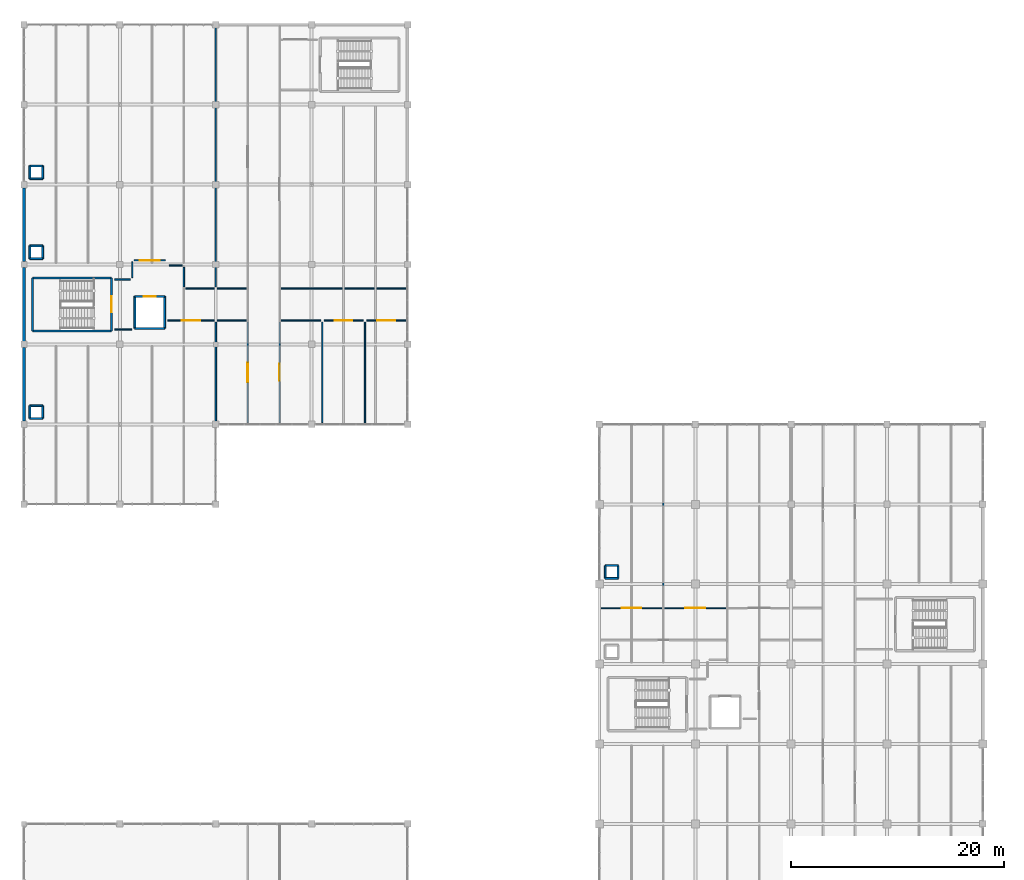
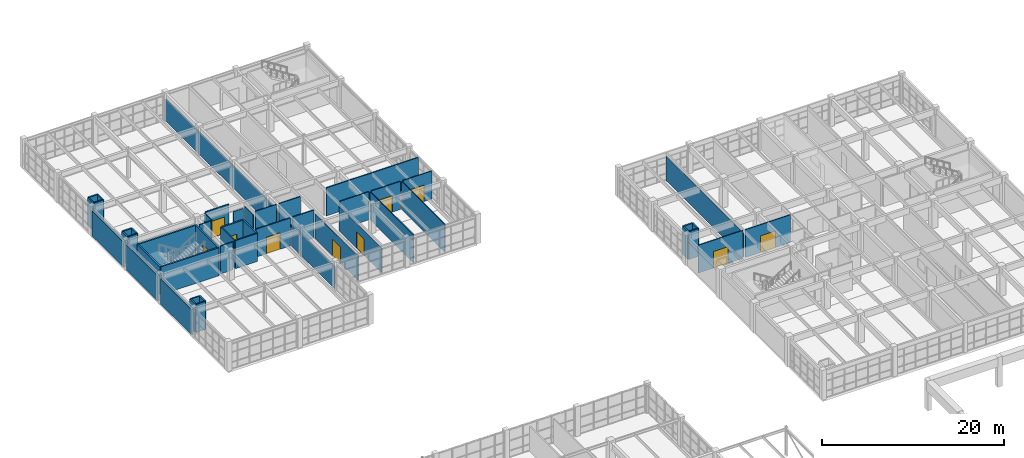
# One storey, part 70 of 76: 50 walls, 10 doors, 10 openings.
"""IFC4 building model written with IfcOpenShell, lengths in metres."""

from ifc_helpers import new_model, si_unit, direction, frame, frame_2d, origin, place, context, subcontext, project, spatial, rectangle, extrude, material, layer, layer_set, type_object, element, fill, save


model = new_model("IFC4")

# Units and contexts
model_context = context("Model", 3, precision=1e-05, world=origin(), true_north=direction((0.0, 1.0)))
body_context = subcontext(model_context, "Body", "Model", "MODEL_VIEW")
ifc_project = project(units=[si_unit("LENGTHUNIT", "METRE"), si_unit("AREAUNIT", "SQUARE_METRE"), si_unit("VOLUMEUNIT", "CUBIC_METRE"), si_unit("PLANEANGLEUNIT", "RADIAN"), si_unit("MASSUNIT", "GRAM", prefix="KILO")], contexts=[model_context])

# Site, building, storey
site_placement = place(None, origin())
site = spatial("IfcSite", under=ifc_project, at=site_placement, CompositionType="ELEMENT")
building_placement = place(site_placement, origin())
building = spatial("IfcBuilding", under=site, at=building_placement, Name="Marnridge Secondary College", CompositionType="ELEMENT")
storey_placement = place(building_placement, frame((0.0, 0.0, 4.5)))
storey = spatial("IfcBuildingStorey", under=building, at=storey_placement, Name="L01", CompositionType="ELEMENT", Elevation=4.5)

# Wall
ifc_material_1 = material(Name="Concrete C40/50 (AS 3600 N40, 40 MPa)", Category="concrete")
ifc_layer_1 = layer(ifc_material_1, 0.199951171875)
ifc_layer_set_1 = layer_set([ifc_layer_1], Name="WT-CORE-RC200")
wall_type_1 = type_object("IfcWallType", Name="WT-CORE-RC200", PredefinedType="SHEAR", material=ifc_layer_set_1)
wall_1_placement = place(storey_placement, frame((0.800048828125, 91.25, 0.0), z_axis=(0.0, 0.0, 1.0), x_axis=(1.0, 0.0, 0.0)))
element("IfcWall", 1, at=wall_1_placement, inside=storey, type_object=wall_type_1, Name="Stair core shear wall WC-L01-0341", PredefinedType="SHEAR", context=body_context, shape_type="SweptSolid", body=[
    extrude(rectangle(XDim=7.39990234375, YDim=0.199951171875, at=frame_2d((3.699951171875, 0.0))), origin(), (0.0, 0.0, 1.0), 3.760009765625),
])

# Wall, opening, door
wall_2_placement = place(storey_placement, frame((8.199951171875, 91.25, 0.0), z_axis=(0.0, 0.0, 1.0), x_axis=(0.0, 1.0, 0.0)))
wall_2 = element("IfcWall", 2, at=wall_2_placement, inside=storey, type_object=wall_type_1, Name="Stair core shear wall WC-L01-0342", PredefinedType="SHEAR", context=body_context, shape_type="SweptSolid", body=[
    extrude(rectangle(XDim=5.0, YDim=0.199951171875, at=frame_2d((2.5, 0.0))), origin(), (0.0, 0.0, 1.0), 3.760009765625),
])
opening_1_placement = place(wall_2_placement, frame((1.75, 0.0, 0.0)))
opening_1 = element("IfcOpeningElement", 3, at=opening_1_placement, cuts=wall_2, Name="Opening DC-L01-024", PredefinedType="OPENING", context=body_context, shape_type="SweptSolid", body=[
    extrude(rectangle(XDim=1.5, YDim=2.14990234375, at=frame_2d((0.75, 1.074951171875))), frame((0.0, 0.10986328125, 0.0), z_axis=(0.0, -1.0, 0.0), x_axis=(1.0, 0.0, 0.0)), (0.0, 0.0, 1.0), 0.219970703125),
])
ifc_material_2 = material(Name="Fire-rated solid-core timber doorset", Category="wood")
door_type_1 = type_object("IfcDoorType", Name="DT-CORE-FD150", OperationType="DOUBLE_DOOR_SINGLE_SWING", PredefinedType="DOOR", material=ifc_material_2)
door_1_placement = place(opening_1_placement, origin())
door_1 = element("IfcDoor", 4, at=door_1_placement, inside=storey, type_object=door_type_1, Name="Fire stair door DC-L01-024", OperationType="DOUBLE_DOOR_SINGLE_SWING", OverallHeight=2.14990234375, OverallWidth=1.5, PredefinedType="DOOR", context=body_context, shape_type="SweptSolid", body=[
    extrude(rectangle(XDim=1.5, YDim=2.14990234375, at=frame_2d((0.75, 1.074951171875))), frame((0.0, 0.02490234375, 0.0), z_axis=(0.0, -1.0, 0.0), x_axis=(1.0, 0.0, 0.0)), (0.0, 0.0, 1.0), 0.050048828125),
])
fill(opening_1, door_1)

# Walls
wall_3_placement = place(storey_placement, frame((8.199951171875, 96.25, 0.0), z_axis=(0.0, 0.0, 1.0), x_axis=(-1.0, 0.0, 0.0)))
element("IfcWall", 5, at=wall_3_placement, inside=storey, type_object=wall_type_1, Name="Stair core shear wall WC-L01-0343", PredefinedType="SHEAR", context=body_context, shape_type="SweptSolid", body=[
    extrude(rectangle(XDim=7.39990234375, YDim=0.199951171875, at=frame_2d((3.699951171875, 0.0))), origin(), (0.0, 0.0, 1.0), 3.760009765625),
])
wall_4_placement = place(storey_placement, frame((0.800048828125, 96.25, 0.0), z_axis=(0.0, 0.0, 1.0), x_axis=(0.0, -1.0, 0.0)))
element("IfcWall", 6, at=wall_4_placement, inside=storey, type_object=wall_type_1, Name="Stair core shear wall WC-L01-0344", PredefinedType="SHEAR", context=body_context, shape_type="SweptSolid", body=[
    extrude(rectangle(XDim=5.0, YDim=0.199951171875, at=frame_2d((2.5, 0.0))), origin(), (0.0, 0.0, 1.0), 3.760009765625),
])
ifc_material_3 = material(Name="Concrete C40/50 (AS 3600 N40, 40 MPa)", Category="concrete")
ifc_layer_2 = layer(ifc_material_3, 0.25)
ifc_layer_set_2 = layer_set([ifc_layer_2], Name="WT-EXT-RC250")
wall_type_2 = type_object("IfcWallType", Name="WT-EXT-RC250", PredefinedType="SOLIDWALL", material=ifc_layer_set_2)
for number, where, z_axis, x_axis, name in (
    (7, (0.0, 82.7958984375, 0.0), (0.0, 0.0, 1.0), (0.0, 1.0, 0.0), "Exterior wall WE-L01-0118"),
    (8, (0.0, 90.2958984375, 0.0), (0.0, 0.0, 1.0), (0.0, 1.0, 0.0), "Exterior wall WE-L01-0119"),
    (9, (0.0, 97.7958984375, 0.0), (0.0, 0.0, 1.0), (0.0, 1.0, 0.0), "Exterior wall WE-L01-0120"),
):
    element("IfcWall", number, at=place(storey_placement, frame(where, z_axis=z_axis, x_axis=x_axis)), inside=storey, type_object=wall_type_2, Name=name, PredefinedType="SOLIDWALL", context=body_context, shape_type="SweptSolid", body=[
        extrude(rectangle(XDim=6.908203125, YDim=0.25, at=frame_2d((3.4541015625, 0.0))), origin(), (0.0, 0.0, 1.0), 3.39990234375),
    ])
ifc_material_4 = material(Name="Acoustic plasterboard partition Rw45", Category="gypsum")
ifc_layer_3 = layer(ifc_material_4, 0.1201171875)
ifc_layer_set_3 = layer_set([ifc_layer_3], Name="WT-PART-AC120")
wall_type_3 = type_object("IfcWallType", Name="WT-PART-AC120", PredefinedType="PARTITIONING", material=ifc_layer_set_3)
for number, where, z_axis, x_axis, name in (
    (10, (20.840087890625, 92.25, 0.0), (0.0, 0.0, 1.0), (-1.0, 0.0, 0.0), "Interior partition WP-L01-0191"),
    (11, (15.159912109375, 95.25, 0.0), (0.0, 0.0, 1.0), (1.0, 0.0, 0.0), "Interior partition WP-L01-0193"),
):
    element("IfcWall", number, at=place(storey_placement, frame(where, z_axis=z_axis, x_axis=x_axis)), inside=storey, type_object=wall_type_3, Name=name, PredefinedType="PARTITIONING", context=body_context, shape_type="SweptSolid", body=[
        extrude(rectangle(XDim=2.68017578125, YDim=0.1201171875, at=frame_2d((1.340087890625, 0.0))), origin(), (0.0, 0.0, 1.0), 3.760009765625),
    ])
wall_5_placement = place(storey_placement, frame((10.14990234375, 96.260009765625, 0.0), z_axis=(0.0, 0.0, 1.0), x_axis=(0.0, 1.0, 0.0)))
element("IfcWall", 12, at=wall_5_placement, inside=storey, type_object=wall_type_3, Name="Interior partition WP-L01-0195", PredefinedType="PARTITIONING", context=body_context, shape_type="SweptSolid", body=[
    extrude(rectangle(XDim=1.47998046875, YDim=0.1201171875, at=frame_2d((0.739990234375, 0.0))), origin(), (0.0, 0.0, 1.0), 3.760009765625),
])
wall_6_placement = place(storey_placement, frame((13.610107421875, 97.39990234375, 0.0), z_axis=(0.0, 0.0, 1.0), x_axis=(1.0, 0.0, 0.0)))
element("IfcWall", 13, at=wall_6_placement, inside=storey, type_object=wall_type_3, Name="Interior partition WP-L01-0197", PredefinedType="PARTITIONING", context=body_context, shape_type="SweptSolid", body=[
    extrude(rectangle(XDim=1.22998046875, YDim=0.1201171875, at=frame_2d((0.614990234375, 0.0))), origin(), (0.0, 0.0, 1.0), 2.9599609375),
])
wall_7_placement = place(storey_placement, frame((18.0, 95.409912109375, 0.0), z_axis=(0.0, 0.0, 1.0), x_axis=(0.0, 1.0, 0.0)))
element("IfcWall", 14, at=wall_7_placement, inside=storey, type_object=wall_type_3, Name="Interior partition WP-L01-0205", PredefinedType="PARTITIONING", context=body_context, shape_type="SweptSolid", body=[
    extrude(rectangle(XDim=24.43017578125, YDim=0.1201171875, at=frame_2d((12.215087890625, 0.0))), origin(), (0.0, 0.0, 1.0), 2.9599609375),
])

# Wall, opening, door
ifc_material_5 = material(Name="Acoustic plasterboard partition Rw48", Category="gypsum")
ifc_layer_4 = layer(ifc_material_5, 0.135009765625)
ifc_layer_set_4 = layer_set([ifc_layer_4], Name="WT-PART-AC135")
wall_type_4 = type_object("IfcWallType", Name="WT-PART-AC135", PredefinedType="PARTITIONING", material=ifc_layer_set_4)
wall_8_placement = place(storey_placement, frame((17.840087890625, 92.25, 0.0), z_axis=(0.0, 0.0, 1.0), x_axis=(-1.0, 0.0, 0.0)))
wall_8 = element("IfcWall", 15, at=wall_8_placement, inside=storey, type_object=wall_type_4, Name="Interior partition WP-L01-0188", PredefinedType="PARTITIONING", context=body_context, shape_type="SweptSolid", body=[
    extrude(rectangle(XDim=4.340087890625, YDim=0.135009765625, at=frame_2d((2.169921875, 0.0))), origin(), (0.0, 0.0, 1.0), 3.760009765625),
])
opening_2_placement = place(wall_8_placement, frame((1.2900390625, 0.0, 0.0)))
opening_2 = element("IfcOpeningElement", 16, at=opening_2_placement, cuts=wall_8, Name="Opening DI-L01-0067", PredefinedType="OPENING", context=body_context, shape_type="SweptSolid", body=[
    extrude(rectangle(XDim=1.760009765625, YDim=2.219970703125, at=frame_2d((0.8798828125, 1.10986328125))), frame((0.0, 0.077392578125, 0.0), z_axis=(0.0, -1.0, 0.0), x_axis=(1.0, 0.0, 0.0)), (0.0, 0.0, 1.0), 0.155029296875),
])
ifc_material_6 = material(Name="Solid-core acoustic hoop-pine classroom doorset", Category="wood")
door_type_2 = type_object("IfcDoorType", Name="DT-RM-VAR19", OperationType="NOTDEFINED", PredefinedType="DOOR", material=ifc_material_6)
door_2_placement = place(opening_2_placement, origin())
door_2 = element("IfcDoor", 17, at=door_2_placement, inside=storey, type_object=door_type_2, Name="Interior door DI-L01-0067", OperationType="SINGLE_SWING_LEFT", OverallHeight=2.219970703125, OverallWidth=1.760009765625, PredefinedType="DOOR", context=body_context, shape_type="SweptSolid", body=[
    extrude(rectangle(XDim=1.760009765625, YDim=2.219970703125, at=frame_2d((0.8798828125, 1.10986328125))), frame((0.0, 0.02490234375, 0.0), z_axis=(0.0, -1.0, 0.0), x_axis=(1.0, 0.0, 0.0)), (0.0, 0.0, 1.0), 0.050048828125),
])
fill(opening_2, door_2)

wall_9_placement = place(storey_placement, frame((21.0, 82.659912109375, 0.0), z_axis=(0.0, 0.0, 1.0), x_axis=(0.0, 1.0, 0.0)))
wall_9 = element("IfcWall", 18, at=wall_9_placement, inside=storey, type_object=wall_type_4, Name="Interior partition WP-L01-0190", PredefinedType="PARTITIONING", context=body_context, shape_type="SweptSolid", body=[
    extrude(rectangle(XDim=9.43017578125, YDim=0.135009765625, at=frame_2d((4.715087890625, 0.0))), origin(), (0.0, 0.0, 1.0), 3.302001953125),
])
opening_3_placement = place(wall_9_placement, frame((3.794921875, 0.0, 0.0)))
opening_3 = element("IfcOpeningElement", 19, at=opening_3_placement, cuts=wall_9, Name="Opening DI-L01-0068", PredefinedType="OPENING", context=body_context, shape_type="SweptSolid", body=[
    extrude(rectangle(XDim=1.840087890625, YDim=2.219970703125, at=frame_2d((0.919921875, 1.10986328125))), frame((0.0, 0.077392578125, 0.0), z_axis=(0.0, -1.0, 0.0), x_axis=(1.0, 0.0, 0.0)), (0.0, 0.0, 1.0), 0.155029296875),
])
ifc_material_7 = material(Name="Solid-core acoustic hoop-pine classroom doorset", Category="wood")
door_type_3 = type_object("IfcDoorType", Name="DT-RM-VAR20", OperationType="NOTDEFINED", PredefinedType="DOOR", material=ifc_material_7)
door_3_placement = place(opening_3_placement, origin())
door_3 = element("IfcDoor", 20, at=door_3_placement, inside=storey, type_object=door_type_3, Name="Interior door DI-L01-0068", OperationType="SINGLE_SWING_RIGHT", OverallHeight=2.219970703125, OverallWidth=1.840087890625, PredefinedType="DOOR", context=body_context, shape_type="SweptSolid", body=[
    extrude(rectangle(XDim=1.840087890625, YDim=2.219970703125, at=frame_2d((0.919921875, 1.10986328125))), frame((0.0, 0.02490234375, 0.0), z_axis=(0.0, -1.0, 0.0), x_axis=(1.0, 0.0, 0.0)), (0.0, 0.0, 1.0), 0.050048828125),
])
fill(opening_3, door_3)

# Walls
wall_10_placement = place(storey_placement, frame((15.0, 97.239990234375, 0.0), z_axis=(0.0, 0.0, 1.0), x_axis=(0.0, -1.0, 0.0)))
element("IfcWall", 21, at=wall_10_placement, inside=storey, type_object=wall_type_4, Name="Interior partition WP-L01-0192", PredefinedType="PARTITIONING", context=body_context, shape_type="SweptSolid", body=[
    extrude(rectangle(XDim=1.830078125, YDim=0.135009765625, at=frame_2d((0.9150390625, 0.0))), origin(), (0.0, 0.0, 1.0), 3.302001953125),
])
wall_11_placement = place(storey_placement, frame((8.5, 96.10009765625, 0.0), z_axis=(0.0, 0.0, 1.0), x_axis=(1.0, 0.0, 0.0)))
element("IfcWall", 22, at=wall_11_placement, inside=storey, type_object=wall_type_4, Name="Interior partition WP-L01-0194", PredefinedType="PARTITIONING", context=body_context, shape_type="SweptSolid", body=[
    extrude(rectangle(XDim=1.489990234375, YDim=0.135009765625, at=frame_2d((0.7451171875, 0.0))), origin(), (0.0, 0.0, 1.0), 3.760009765625),
])

# Wall, opening, door
wall_12_placement = place(storey_placement, frame((10.31005859375, 97.89990234375, 0.0), z_axis=(0.0, 0.0, 1.0), x_axis=(1.0, 0.0, 0.0)))
wall_12 = element("IfcWall", 23, at=wall_12_placement, inside=storey, type_object=wall_type_4, Name="Interior partition WP-L01-0196", PredefinedType="PARTITIONING", context=body_context, shape_type="SweptSolid", body=[
    extrude(rectangle(XDim=2.97998046875, YDim=0.135009765625, at=frame_2d((1.489990234375, 0.0))), origin(), (0.0, 0.0, 1.0), 3.760009765625),
])
opening_4_placement = place(wall_12_placement, frame((0.5400390625, 0.0, 0.0)))
opening_4 = element("IfcOpeningElement", 24, at=opening_4_placement, cuts=wall_12, Name="Opening DI-L01-0069", PredefinedType="OPENING", context=body_context, shape_type="SweptSolid", body=[
    extrude(rectangle(XDim=1.89990234375, YDim=2.239990234375, at=frame_2d((0.949951171875, 1.1201171875))), frame((0.0, 0.077392578125, 0.0), z_axis=(0.0, -1.0, 0.0), x_axis=(1.0, 0.0, 0.0)), (0.0, 0.0, 1.0), 0.155029296875),
])
ifc_material_8 = material(Name="Solid-core acoustic hoop-pine classroom doorset", Category="wood")
door_type_4 = type_object("IfcDoorType", Name="DT-RM-VAR21", OperationType="NOTDEFINED", PredefinedType="DOOR", material=ifc_material_8)
door_4_placement = place(opening_4_placement, origin())
door_4 = element("IfcDoor", 25, at=door_4_placement, inside=storey, type_object=door_type_4, Name="Interior door DI-L01-0069", OperationType="SINGLE_SWING_LEFT", OverallHeight=2.239990234375, OverallWidth=1.89990234375, PredefinedType="DOOR", context=body_context, shape_type="SweptSolid", body=[
    extrude(rectangle(XDim=1.89990234375, YDim=2.239990234375, at=frame_2d((0.949951171875, 1.1201171875))), frame((0.0, 0.02490234375, 0.0), z_axis=(0.0, -1.0, 0.0), x_axis=(1.0, 0.0, 0.0)), (0.0, 0.0, 1.0), 0.050048828125),
])
fill(opening_4, door_4)

# Walls
wall_13_placement = place(storey_placement, frame((18.159912109375, 95.25, 0.0), z_axis=(0.0, 0.0, 1.0), x_axis=(1.0, 0.0, 0.0)))
element("IfcWall", 26, at=wall_13_placement, inside=storey, type_object=wall_type_4, Name="Interior partition WP-L01-0198", PredefinedType="PARTITIONING", context=body_context, shape_type="SweptSolid", body=[
    extrude(rectangle(XDim=2.68017578125, YDim=0.135009765625, at=frame_2d((1.340087890625, 0.0))), origin(), (0.0, 0.0, 1.0), 3.760009765625),
])
wall_14_placement = place(storey_placement, frame((24.159912109375, 95.25, 0.0), z_axis=(0.0, 0.0, 1.0), x_axis=(1.0, 0.0, 0.0)))
element("IfcWall", 27, at=wall_14_placement, inside=storey, type_object=wall_type_4, Name="Interior partition WP-L01-0202", PredefinedType="PARTITIONING", context=body_context, shape_type="SweptSolid", body=[
    extrude(rectangle(XDim=11.68017578125, YDim=0.135009765625, at=frame_2d((5.840087890625, 0.0))), origin(), (0.0, 0.0, 1.0), 3.760009765625),
])
wall_15_placement = place(storey_placement, frame((18.0, 82.659912109375, 0.0), z_axis=(0.0, 0.0, 1.0), x_axis=(0.0, 1.0, 0.0)))
element("IfcWall", 28, at=wall_15_placement, inside=storey, type_object=wall_type_4, Name="Interior partition WP-L01-0204", PredefinedType="PARTITIONING", context=body_context, shape_type="SweptSolid", body=[
    extrude(rectangle(XDim=9.43017578125, YDim=0.135009765625, at=frame_2d((4.715087890625, 0.0))), origin(), (0.0, 0.0, 1.0), 2.9599609375),
])
ifc_material_9 = material(Name="Acoustic glazed studio partition system", Category="gypsum")
ifc_layer_5 = layer(ifc_material_9, 0.10009765625)
ifc_layer_set_5 = layer_set([ifc_layer_5], Name="WT-PART-GL100")
wall_type_5 = type_object("IfcWallType", Name="WT-PART-GL100", PredefinedType="PARTITIONING", material=ifc_layer_set_5)
wall_16_placement = place(storey_placement, frame((10.10009765625, 91.39990234375, 0.0), z_axis=(0.0, 0.0, 1.0), x_axis=(-1.0, 0.0, 0.0)))
element("IfcWall", 29, at=wall_16_placement, inside=storey, type_object=wall_type_5, Name="Interior partition WP-L01-0189", PredefinedType="PARTITIONING", context=body_context, shape_type="SweptSolid", body=[
    extrude(rectangle(XDim=1.60009765625, YDim=0.10009765625, at=frame_2d((0.800048828125, 0.0))), origin(), (0.0, 0.0, 1.0), 3.760009765625),
])
ifc_material_10 = material(Name="Moisture-resistant plasterboard sanitary partition", Category="gypsum")
ifc_layer_6 = layer(ifc_material_10, 0.110107421875)
ifc_layer_set_6 = layer_set([ifc_layer_6], Name="WT-PART-WT110")
wall_type_6 = type_object("IfcWallType", Name="WT-PART-WT110", PredefinedType="PARTITIONING", material=ifc_layer_set_6)
wall_17_placement = place(storey_placement, frame((60.0, 65.409912109375, 0.0), z_axis=(0.0, 0.0, 1.0), x_axis=(0.0, 1.0, 0.0)))
element("IfcWall", 30, at=wall_17_placement, inside=storey, type_object=wall_type_6, Name="Interior partition WP-L01-0125", PredefinedType="PARTITIONING", context=body_context, shape_type="SweptSolid", body=[
    extrude(rectangle(XDim=16.93017578125, YDim=0.110107421875, at=frame_2d((8.465087890625, 0.0))), origin(), (0.0, 0.0, 1.0), 3.281982421875),
])

# Wall, opening, door
wall_18_placement = place(storey_placement, frame((54.159912109375, 65.25, 0.0), z_axis=(0.0, 0.0, 1.0), x_axis=(1.0, 0.0, 0.0)))
wall_18 = element("IfcWall", 31, at=wall_18_placement, inside=storey, type_object=wall_type_6, Name="Interior partition WP-L01-0126", PredefinedType="PARTITIONING", context=body_context, shape_type="SweptSolid", body=[
    extrude(rectangle(XDim=5.68017578125, YDim=0.110107421875, at=frame_2d((2.840087890625, 0.0))), origin(), (0.0, 0.0, 1.0), 3.739990234375),
])
opening_5_placement = place(wall_18_placement, frame((1.919921875, 0.0, 0.0)))
opening_5 = element("IfcOpeningElement", 32, at=opening_5_placement, cuts=wall_18, Name="Opening DI-L01-0044", PredefinedType="OPENING", context=body_context, shape_type="SweptSolid", body=[
    extrude(rectangle(XDim=1.840087890625, YDim=2.219970703125, at=frame_2d((0.919921875, 1.10986328125))), frame((0.0, 0.06494140625, 0.0), z_axis=(0.0, -1.0, 0.0), x_axis=(1.0, 0.0, 0.0)), (0.0, 0.0, 1.0), 0.130126953125),
])
door_5_placement = place(opening_5_placement, origin())
door_5 = element("IfcDoor", 33, at=door_5_placement, inside=storey, type_object=door_type_3, Name="Interior door DI-L01-0044", OperationType="SINGLE_SWING_RIGHT", OverallHeight=2.219970703125, OverallWidth=1.840087890625, PredefinedType="DOOR", context=body_context, shape_type="SweptSolid", body=[
    extrude(rectangle(XDim=1.840087890625, YDim=2.219970703125, at=frame_2d((0.919921875, 1.10986328125))), frame((0.0, 0.02490234375, 0.0), z_axis=(0.0, -1.0, 0.0), x_axis=(1.0, 0.0, 0.0)), (0.0, 0.0, 1.0), 0.050048828125),
])
fill(opening_5, door_5)

wall_19_placement = place(storey_placement, frame((65.840087890625, 65.25, 0.0), z_axis=(0.0, 0.0, 1.0), x_axis=(-1.0, 0.0, 0.0)))
wall_19 = element("IfcWall", 34, at=wall_19_placement, inside=storey, type_object=wall_type_6, Name="Interior partition WP-L01-0128", PredefinedType="PARTITIONING", context=body_context, shape_type="SweptSolid", body=[
    extrude(rectangle(XDim=5.68017578125, YDim=0.110107421875, at=frame_2d((2.840087890625, 0.0))), origin(), (0.0, 0.0, 1.0), 3.739990234375),
])
opening_6_placement = place(wall_19_placement, frame((1.889892578125, 0.0, 0.0)))
opening_6 = element("IfcOpeningElement", 35, at=opening_6_placement, cuts=wall_19, Name="Opening DI-L01-0045", PredefinedType="OPENING", context=body_context, shape_type="SweptSolid", body=[
    extrude(rectangle(XDim=1.89990234375, YDim=2.239990234375, at=frame_2d((0.949951171875, 1.1201171875))), frame((0.0, 0.06494140625, 0.0), z_axis=(0.0, -1.0, 0.0), x_axis=(1.0, 0.0, 0.0)), (0.0, 0.0, 1.0), 0.130126953125),
])
door_6_placement = place(opening_6_placement, origin())
door_6 = element("IfcDoor", 36, at=door_6_placement, inside=storey, type_object=door_type_4, Name="Interior door DI-L01-0045", OperationType="SINGLE_SWING_LEFT", OverallHeight=2.239990234375, OverallWidth=1.89990234375, PredefinedType="DOOR", context=body_context, shape_type="SweptSolid", body=[
    extrude(rectangle(XDim=1.89990234375, YDim=2.239990234375, at=frame_2d((0.949951171875, 1.1201171875))), frame((0.0, 0.02490234375, 0.0), z_axis=(0.0, -1.0, 0.0), x_axis=(1.0, 0.0, 0.0)), (0.0, 0.0, 1.0), 0.050048828125),
])
fill(opening_6, door_6)

# Wall
wall_20_placement = place(storey_placement, frame((28.0, 82.659912109375, 0.0), z_axis=(0.0, 0.0, 1.0), x_axis=(0.0, 1.0, 0.0)))
element("IfcWall", 37, at=wall_20_placement, inside=storey, type_object=wall_type_6, Name="Interior partition WP-L01-0182", PredefinedType="PARTITIONING", context=body_context, shape_type="SweptSolid", body=[
    extrude(rectangle(XDim=9.43017578125, YDim=0.110107421875, at=frame_2d((4.715087890625, 0.0))), origin(), (0.0, 0.0, 1.0), 3.760009765625),
])

# Wall, opening, door
wall_21_placement = place(storey_placement, frame((24.0, 92.090087890625, 0.0), z_axis=(0.0, 0.0, 1.0), x_axis=(0.0, -1.0, 0.0)))
wall_21 = element("IfcWall", 38, at=wall_21_placement, inside=storey, type_object=wall_type_6, Name="Interior partition WP-L01-0183", PredefinedType="PARTITIONING", context=body_context, shape_type="SweptSolid", body=[
    extrude(rectangle(XDim=9.43017578125, YDim=0.110107421875, at=frame_2d((4.715087890625, 0.0))), origin(), (0.0, 0.0, 1.0), 3.302001953125),
])
opening_7_placement = place(wall_21_placement, frame((3.925048828125, 0.0, 0.0)))
opening_7 = element("IfcOpeningElement", 39, at=opening_7_placement, cuts=wall_21, Name="Opening DI-L01-0064", PredefinedType="OPENING", context=body_context, shape_type="SweptSolid", body=[
    extrude(rectangle(XDim=1.580078125, YDim=2.199951171875, at=frame_2d((0.7900390625, 1.10009765625))), frame((0.0, 0.06494140625, 0.0), z_axis=(0.0, -1.0, 0.0), x_axis=(1.0, 0.0, 0.0)), (0.0, 0.0, 1.0), 0.130126953125),
])
ifc_material_11 = material(Name="Solid-core acoustic hoop-pine classroom doorset", Category="wood")
door_type_5 = type_object("IfcDoorType", Name="DT-RM-VAR16", OperationType="NOTDEFINED", PredefinedType="DOOR", material=ifc_material_11)
door_7_placement = place(opening_7_placement, origin())
door_7 = element("IfcDoor", 40, at=door_7_placement, inside=storey, type_object=door_type_5, Name="Interior door DI-L01-0064", OperationType="SINGLE_SWING_RIGHT", OverallHeight=2.199951171875, OverallWidth=1.580078125, PredefinedType="DOOR", context=body_context, shape_type="SweptSolid", body=[
    extrude(rectangle(XDim=1.580078125, YDim=2.199951171875, at=frame_2d((0.7900390625, 1.10009765625))), frame((0.0, 0.02490234375, 0.0), z_axis=(0.0, -1.0, 0.0), x_axis=(1.0, 0.0, 0.0)), (0.0, 0.0, 1.0), 0.050048828125),
])
fill(opening_7, door_7)

# Walls
wall_22_placement = place(storey_placement, frame((27.840087890625, 92.25, 0.0), z_axis=(0.0, 0.0, 1.0), x_axis=(-1.0, 0.0, 0.0)))
element("IfcWall", 41, at=wall_22_placement, inside=storey, type_object=wall_type_6, Name="Interior partition WP-L01-0184", PredefinedType="PARTITIONING", context=body_context, shape_type="SweptSolid", body=[
    extrude(rectangle(XDim=3.68017578125, YDim=0.110107421875, at=frame_2d((1.840087890625, 0.0))), origin(), (0.0, 0.0, 1.0), 3.760009765625),
])
wall_23_placement = place(storey_placement, frame((32.0, 82.659912109375, 0.0), z_axis=(0.0, 0.0, 1.0), x_axis=(0.0, 1.0, 0.0)))
element("IfcWall", 42, at=wall_23_placement, inside=storey, type_object=wall_type_6, Name="Interior partition WP-L01-0185", PredefinedType="PARTITIONING", context=body_context, shape_type="SweptSolid", body=[
    extrude(rectangle(XDim=9.43017578125, YDim=0.110107421875, at=frame_2d((4.715087890625, 0.0))), origin(), (0.0, 0.0, 1.0), 3.760009765625),
])

# Wall, opening, door
wall_24_placement = place(storey_placement, frame((31.840087890625, 92.25, 0.0), z_axis=(0.0, 0.0, 1.0), x_axis=(-1.0, 0.0, 0.0)))
wall_24 = element("IfcWall", 43, at=wall_24_placement, inside=storey, type_object=wall_type_6, Name="Interior partition WP-L01-0186", PredefinedType="PARTITIONING", context=body_context, shape_type="SweptSolid", body=[
    extrude(rectangle(XDim=3.68017578125, YDim=0.110107421875, at=frame_2d((1.840087890625, 0.0))), origin(), (0.0, 0.0, 1.0), 3.760009765625),
])
opening_8_placement = place(wall_24_placement, frame((1.02001953125, 0.0, 0.0)))
opening_8 = element("IfcOpeningElement", 44, at=opening_8_placement, cuts=wall_24, Name="Opening DI-L01-0065", PredefinedType="OPENING", context=body_context, shape_type="SweptSolid", body=[
    extrude(rectangle(XDim=1.639892578125, YDim=2.199951171875, at=frame_2d((0.81982421875, 1.10009765625))), frame((0.0, 0.06494140625, 0.0), z_axis=(0.0, -1.0, 0.0), x_axis=(1.0, 0.0, 0.0)), (0.0, 0.0, 1.0), 0.130126953125),
])
ifc_material_12 = material(Name="Solid-core acoustic hoop-pine classroom doorset", Category="wood")
door_type_6 = type_object("IfcDoorType", Name="DT-RM-VAR17", OperationType="NOTDEFINED", PredefinedType="DOOR", material=ifc_material_12)
door_8_placement = place(opening_8_placement, origin())
door_8 = element("IfcDoor", 45, at=door_8_placement, inside=storey, type_object=door_type_6, Name="Interior door DI-L01-0065", OperationType="SINGLE_SWING_LEFT", OverallHeight=2.199951171875, OverallWidth=1.639892578125, PredefinedType="DOOR", context=body_context, shape_type="SweptSolid", body=[
    extrude(rectangle(XDim=1.639892578125, YDim=2.199951171875, at=frame_2d((0.81982421875, 1.10009765625))), frame((0.0, 0.02490234375, 0.0), z_axis=(0.0, -1.0, 0.0), x_axis=(1.0, 0.0, 0.0)), (0.0, 0.0, 1.0), 0.050048828125),
])
fill(opening_8, door_8)

wall_25_placement = place(storey_placement, frame((35.840087890625, 92.25, 0.0), z_axis=(0.0, 0.0, 1.0), x_axis=(-1.0, 0.0, 0.0)))
wall_25 = element("IfcWall", 46, at=wall_25_placement, inside=storey, type_object=wall_type_6, Name="Interior partition WP-L01-0187", PredefinedType="PARTITIONING", context=body_context, shape_type="SweptSolid", body=[
    extrude(rectangle(XDim=3.68017578125, YDim=0.110107421875, at=frame_2d((1.840087890625, 0.0))), origin(), (0.0, 0.0, 1.0), 3.760009765625),
])
opening_9_placement = place(wall_25_placement, frame((0.989990234375, 0.0, 0.0)))
opening_9 = element("IfcOpeningElement", 47, at=opening_9_placement, cuts=wall_25, Name="Opening DI-L01-0066", PredefinedType="OPENING", context=body_context, shape_type="SweptSolid", body=[
    extrude(rectangle(XDim=1.699951171875, YDim=2.219970703125, at=frame_2d((0.85009765625, 1.10986328125))), frame((0.0, 0.06494140625, 0.0), z_axis=(0.0, -1.0, 0.0), x_axis=(1.0, 0.0, 0.0)), (0.0, 0.0, 1.0), 0.130126953125),
])
ifc_material_13 = material(Name="Solid-core acoustic hoop-pine classroom doorset", Category="wood")
door_type_7 = type_object("IfcDoorType", Name="DT-RM-VAR18", OperationType="NOTDEFINED", PredefinedType="DOOR", material=ifc_material_13)
door_9_placement = place(opening_9_placement, origin())
door_9 = element("IfcDoor", 48, at=door_9_placement, inside=storey, type_object=door_type_7, Name="Interior door DI-L01-0066", OperationType="SINGLE_SWING_RIGHT", OverallHeight=2.219970703125, OverallWidth=1.699951171875, PredefinedType="DOOR", context=body_context, shape_type="SweptSolid", body=[
    extrude(rectangle(XDim=1.699951171875, YDim=2.219970703125, at=frame_2d((0.85009765625, 1.10986328125))), frame((0.0, 0.02490234375, 0.0), z_axis=(0.0, -1.0, 0.0), x_axis=(1.0, 0.0, 0.0)), (0.0, 0.0, 1.0), 0.050048828125),
])
fill(opening_9, door_9)

# Walls
ifc_material_14 = material(Name="Concrete C40/50 (AS 3600 N40, 40 MPa)", Category="concrete")
ifc_layer_7 = layer(ifc_material_14, 0.179931640625)
ifc_layer_set_7 = layer_set([ifc_layer_7], Name="WT-SHAFT-RC180")
wall_type_7 = type_object("IfcWallType", Name="WT-SHAFT-RC180", PredefinedType="SHEAR", material=ifc_layer_set_7)
for number, where, z_axis, x_axis, name in (
    (49, (55.75, 68.050048828125, 0.0), (0.0, 0.0, 1.0), (-1.0, 0.0, 0.0), "Service riser shaft wall WR-L01-0065"),
    (50, (54.550048828125, 68.050048828125, 0.0), (0.0, 0.0, 1.0), (0.0, 1.0, 0.0), "Service riser shaft wall WR-L01-0066"),
    (51, (54.550048828125, 69.25, 0.0), (0.0, 0.0, 1.0), (1.0, 0.0, 0.0), "Service riser shaft wall WR-L01-0067"),
    (52, (55.75, 69.25, 0.0), (0.0, 0.0, 1.0), (0.0, -1.0, 0.0), "Service riser shaft wall WR-L01-0068"),
):
    element("IfcWall", number, at=place(storey_placement, frame(where, z_axis=z_axis, x_axis=x_axis)), inside=storey, type_object=wall_type_7, Name=name, PredefinedType="SHEAR", context=body_context, shape_type="SweptSolid", body=[
        extrude(rectangle(XDim=1.199951171875, YDim=0.179931640625, at=frame_2d((0.60009765625, 0.0))), origin(), (0.0, 0.0, 1.0), 3.739990234375),
    ])
for number, where, z_axis, x_axis, name in (
    (53, (1.75, 83.050048828125, 0.0), (0.0, 0.0, 1.0), (-1.0, 0.0, 0.0), "Service riser shaft wall WR-L01-0089"),
    (54, (0.550048828125, 83.050048828125, 0.0), (0.0, 0.0, 1.0), (0.0, 1.0, 0.0), "Service riser shaft wall WR-L01-0090"),
    (55, (0.550048828125, 84.25, 0.0), (0.0, 0.0, 1.0), (1.0, 0.0, 0.0), "Service riser shaft wall WR-L01-0091"),
    (56, (1.75, 84.25, 0.0), (0.0, 0.0, 1.0), (0.0, -1.0, 0.0), "Service riser shaft wall WR-L01-0092"),
    (57, (1.75, 98.050048828125, 0.0), (0.0, 0.0, 1.0), (-1.0, 0.0, 0.0), "Service riser shaft wall WR-L01-0093"),
    (58, (0.550048828125, 98.050048828125, 0.0), (0.0, 0.0, 1.0), (0.0, 1.0, 0.0), "Service riser shaft wall WR-L01-0094"),
    (59, (0.550048828125, 99.25, 0.0), (0.0, 0.0, 1.0), (1.0, 0.0, 0.0), "Service riser shaft wall WR-L01-0095"),
    (60, (1.75, 99.25, 0.0), (0.0, 0.0, 1.0), (0.0, -1.0, 0.0), "Service riser shaft wall WR-L01-0096"),
    (61, (1.75, 105.550048828125, 0.0), (0.0, 0.0, 1.0), (-1.0, 0.0, 0.0), "Service riser shaft wall WR-L01-0097"),
    (62, (0.550048828125, 105.550048828125, 0.0), (0.0, 0.0, 1.0), (0.0, 1.0, 0.0), "Service riser shaft wall WR-L01-0098"),
    (63, (0.550048828125, 106.75, 0.0), (0.0, 0.0, 1.0), (1.0, 0.0, 0.0), "Service riser shaft wall WR-L01-0099"),
    (64, (1.75, 106.75, 0.0), (0.0, 0.0, 1.0), (0.0, -1.0, 0.0), "Service riser shaft wall WR-L01-0100"),
):
    element("IfcWall", number, at=place(storey_placement, frame(where, z_axis=z_axis, x_axis=x_axis)), inside=storey, type_object=wall_type_7, Name=name, PredefinedType="SHEAR", context=body_context, shape_type="SweptSolid", body=[
        extrude(rectangle(XDim=1.199951171875, YDim=0.179931640625, at=frame_2d((0.60009765625, 0.0))), origin(), (0.0, 0.0, 1.0), 3.760009765625),
    ])
wall_26_placement = place(storey_placement, frame((13.199951171875, 91.5, 0.0), z_axis=(0.0, 0.0, 1.0), x_axis=(-1.0, 0.0, 0.0)))
element("IfcWall", 65, at=wall_26_placement, inside=storey, type_object=wall_type_7, Name="Lift shaft wall WL-L01-0457", PredefinedType="SHEAR", context=body_context, shape_type="SweptSolid", body=[
    extrude(rectangle(XDim=2.800048828125, YDim=0.179931640625, at=frame_2d((1.39990234375, 0.0))), origin(), (0.0, 0.0, 1.0), 3.760009765625),
])
wall_27_placement = place(storey_placement, frame((10.39990234375, 91.5, 0.0), z_axis=(0.0, 0.0, 1.0), x_axis=(0.0, 1.0, 0.0)))
element("IfcWall", 66, at=wall_27_placement, inside=storey, type_object=wall_type_7, Name="Lift shaft wall WL-L01-0458", PredefinedType="SHEAR", context=body_context, shape_type="SweptSolid", body=[
    extrude(rectangle(XDim=3.0, YDim=0.179931640625, at=frame_2d((1.5, 0.0))), origin(), (0.0, 0.0, 1.0), 3.760009765625),
])

# Wall, opening, door
wall_28_placement = place(storey_placement, frame((10.39990234375, 94.5, 0.0), z_axis=(0.0, 0.0, 1.0), x_axis=(1.0, 0.0, 0.0)))
wall_28 = element("IfcWall", 67, at=wall_28_placement, inside=storey, type_object=wall_type_7, Name="Lift shaft wall WL-L01-0459", PredefinedType="SHEAR", context=body_context, shape_type="SweptSolid", body=[
    extrude(rectangle(XDim=2.800048828125, YDim=0.179931640625, at=frame_2d((1.39990234375, 0.0))), origin(), (0.0, 0.0, 1.0), 3.760009765625),
])
opening_10_placement = place(wall_28_placement, frame((0.85009765625, 0.0, 0.0)))
opening_10 = element("IfcOpeningElement", 68, at=opening_10_placement, cuts=wall_28, Name="Opening LD-LC-03-L01", PredefinedType="OPENING", context=body_context, shape_type="SweptSolid", body=[
    extrude(rectangle(XDim=1.10009765625, YDim=2.14990234375, at=frame_2d((0.550048828125, 1.074951171875))), frame((0.0, 0.099853515625, 0.0), z_axis=(0.0, -1.0, 0.0), x_axis=(1.0, 0.0, 0.0)), (0.0, 0.0, 1.0), 0.199951171875),
])
ifc_material_15 = material(Name="Stainless steel Grade 350 automatic sliding lift landing doorset", Category="steel")
door_type_8 = type_object("IfcDoorType", Name="DT-LIFT-LD110", OperationType="SLIDING_TO_LEFT", PredefinedType="DOOR", material=ifc_material_15)
door_10_placement = place(opening_10_placement, origin())
door_10 = element("IfcDoor", 69, at=door_10_placement, inside=storey, type_object=door_type_8, Name="Sliding lift landing door LD-LC-03-L01", OperationType="SLIDING_TO_LEFT", OverallHeight=2.14990234375, OverallWidth=1.10009765625, PredefinedType="DOOR", context=body_context, shape_type="SweptSolid", body=[
    extrude(rectangle(XDim=1.10009765625, YDim=2.14990234375, at=frame_2d((0.550048828125, 1.074951171875))), frame((0.0, 0.02490234375, 0.0), z_axis=(0.0, -1.0, 0.0), x_axis=(1.0, 0.0, 0.0)), (0.0, 0.0, 1.0), 0.050048828125),
])
fill(opening_10, door_10)

# Wall
wall_29_placement = place(storey_placement, frame((13.199951171875, 94.5, 0.0), z_axis=(0.0, 0.0, 1.0), x_axis=(0.0, -1.0, 0.0)))
element("IfcWall", 70, at=wall_29_placement, inside=storey, type_object=wall_type_7, Name="Lift shaft wall WL-L01-0460", PredefinedType="SHEAR", context=body_context, shape_type="SweptSolid", body=[
    extrude(rectangle(XDim=3.0, YDim=0.179931640625, at=frame_2d((1.5, 0.0))), origin(), (0.0, 0.0, 1.0), 3.760009765625),
])

save(model, "model.ifc")
